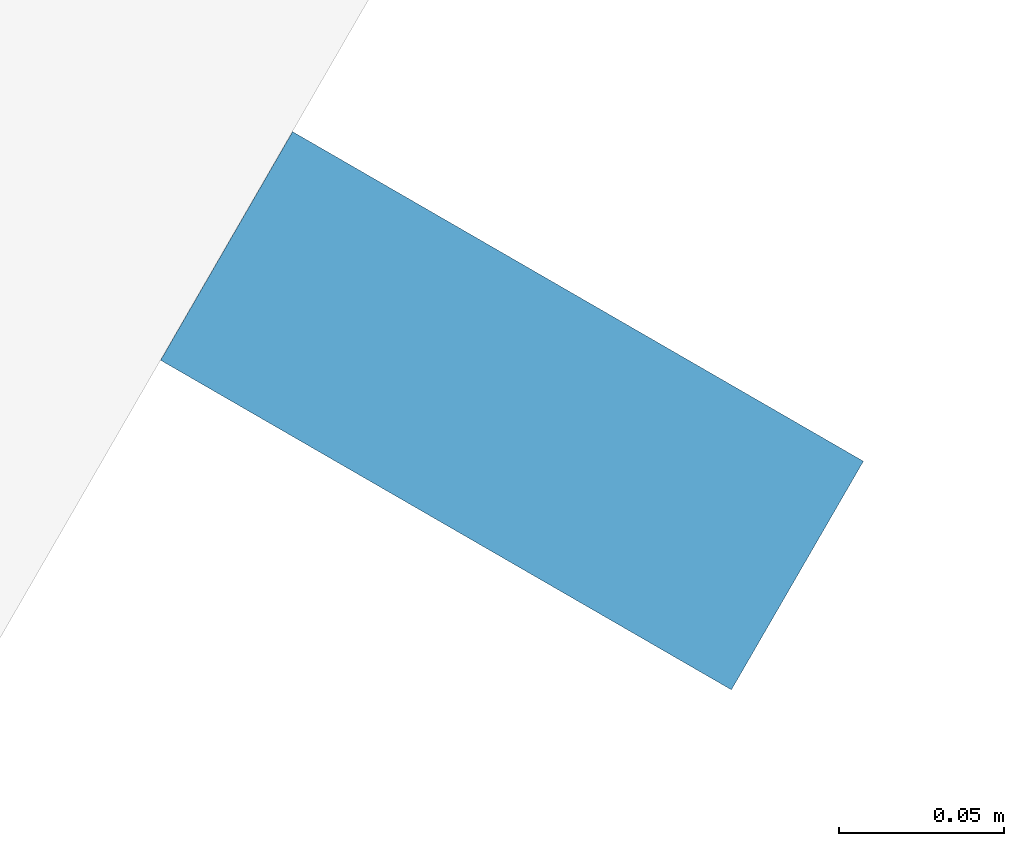
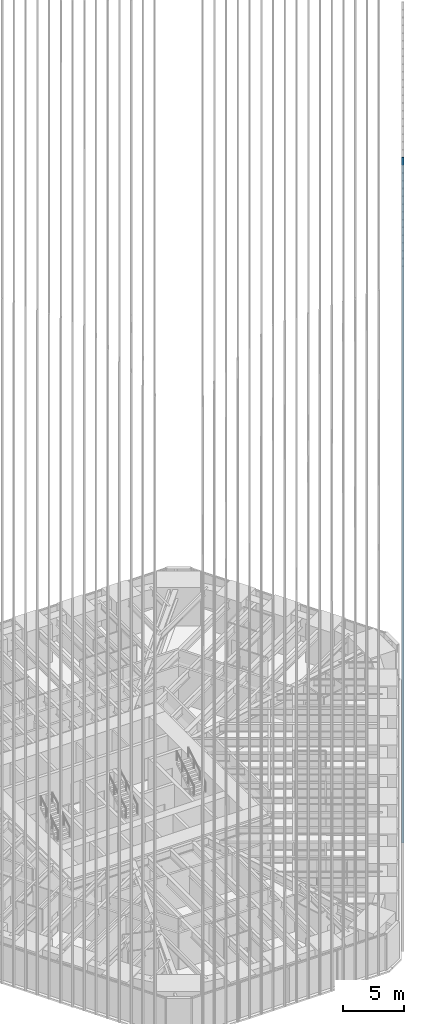
# One storey, part 103 of 256: 1 member, 1 element without a shape of its own.
"""IFC4 building model written with IfcOpenShell, lengths in metres."""

from ifc_helpers import new_model, si_unit, direction, frame, origin, origin_2d, place, context, subcontext, project, spatial, rectangle, extrude, material, material_profile, profile_set, type_object, element, aggregate, save


model = new_model("IFC4")

# Units and contexts
model_context = context("Model", 3, precision=1e-05, world=origin(), true_north=direction((0.0, 1.0)))
body_context = subcontext(model_context, "Body", "Model", "MODEL_VIEW")
ifc_project = project(units=[si_unit("LENGTHUNIT", "METRE"), si_unit("AREAUNIT", "SQUARE_METRE"), si_unit("VOLUMEUNIT", "CUBIC_METRE"), si_unit("PLANEANGLEUNIT", "RADIAN"), si_unit("MASSUNIT", "GRAM", prefix="KILO")], contexts=[model_context])

# Site, building, storey
site_placement = place(None, origin())
site = spatial("IfcSite", under=ifc_project, at=site_placement, CompositionType="ELEMENT")
building_placement = place(site_placement, origin())
building = spatial("IfcBuilding", under=site, at=building_placement, Name="Sandreach Pilgrim Tower", CompositionType="ELEMENT")
storey_placement = place(building_placement, frame((0.0, 0.0, 23.0)))
storey = spatial("IfcBuildingStorey", under=building, at=storey_placement, Name="L04", CompositionType="ELEMENT", Elevation=23.0)

# Curtain wall, member
ifc_material_1 = material(Name="Aluminium framed curtain wall", Category="aluminium")
curtain_wall_type = type_object("IfcCurtainWallType", Name="Hostel tower curtain wall", PredefinedType="NOTDEFINED", material=ifc_material_1)
curtain_wall_placement = place(storey_placement, origin())
curtain_wall = element("IfcCurtainWall", 1, at=curtain_wall_placement, inside=storey, type_object=curtain_wall_type, Name="CW-1 L04 SE", PredefinedType="NOTDEFINED")
ifc_material_2 = material(Name="Extruded terracotta on aluminium core", Category="masonry")
ifc_material_profile = material_profile(ifc_material_2, rectangle(XDim=0.080078125, YDim=0.199951171875, at=origin_2d()), Name="TBE 80X200")
ifc_profile_set = profile_set([ifc_material_profile], Name="Extruded terracotta on aluminium core")
member_type = type_object("IfcMemberType", Name="Terracotta baguette east", PredefinedType="USERDEFINED", material=ifc_profile_set)
member_placement = place(storey_placement, frame((19.427978515625, -15.047119140625, 0.0), z_axis=(0.0, 0.0, 1.0), x_axis=(-0.5, -0.866025403784, 0.0)))
member = element("IfcMember", 2, at=member_placement, type_object=member_type, Name="Baguette Z1 SE21", ObjectType="BAGUETTE", PredefinedType="USERDEFINED", context=body_context, shape_type="SweptSolid", body=[
    extrude(rectangle(XDim=0.080078125, YDim=0.199951171875, at=origin_2d()), origin(), (0.0, 0.0, 1.0), 68.239990234375),
])
aggregate(curtain_wall, [member])

save(model, "model.ifc")
